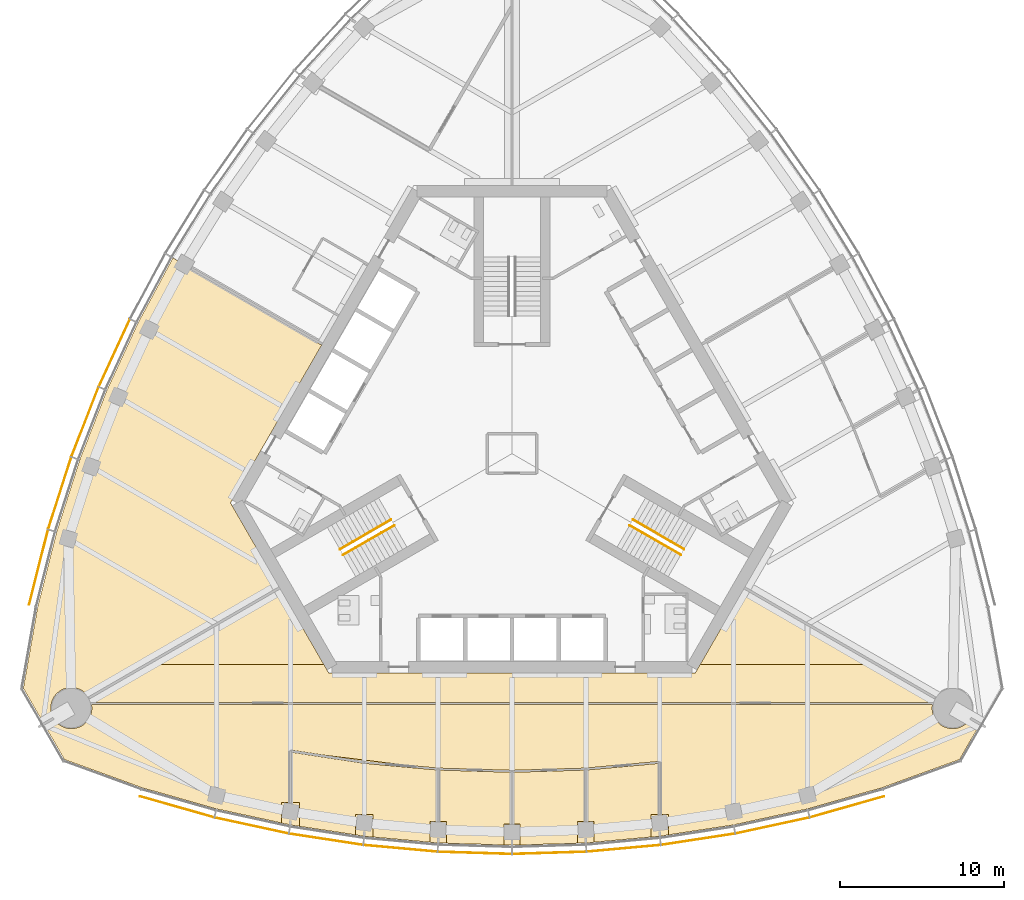
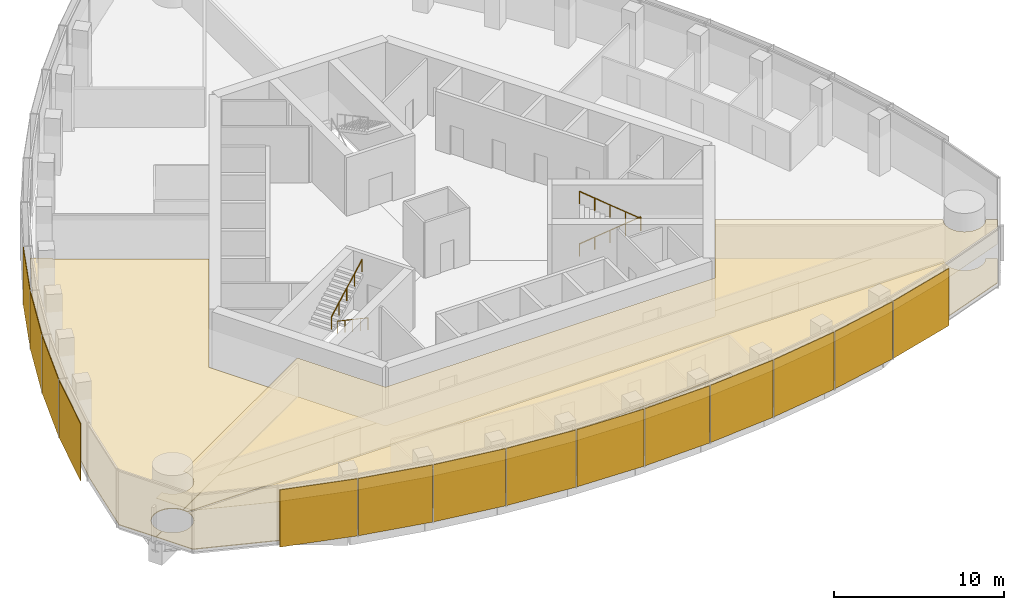
# One storey, part 12 of 16: 14 shading devices, 10 coverings, 4 railings.
"""IFC4 building model written with IfcOpenShell, lengths in metres."""

from ifc_helpers import new_model, si_unit, direction, frame, origin, origin_2d, place, context, subcontext, project, spatial, polyline, rectangle, circle, outline, extrude, material, layer, layer_set, type_object, element, save


model = new_model("IFC4")

# Units and contexts
model_context = context("Model", 3, precision=1e-05, world=origin(), true_north=direction((0.0, 1.0)))
body_context = subcontext(model_context, "Body", "Model", "MODEL_VIEW")
ifc_project = project(units=[si_unit("LENGTHUNIT", "METRE"), si_unit("AREAUNIT", "SQUARE_METRE"), si_unit("VOLUMEUNIT", "CUBIC_METRE"), si_unit("PLANEANGLEUNIT", "RADIAN"), si_unit("MASSUNIT", "GRAM", prefix="KILO")], contexts=[model_context])

# Site, building, storey
site_placement = place(None, origin())
site = spatial("IfcSite", under=ifc_project, at=site_placement, CompositionType="ELEMENT")
building_placement = place(site_placement, origin())
building = spatial("IfcBuilding", under=site, at=building_placement, Name="Trefoil Bronze Tower", CompositionType="ELEMENT")
storey_placement = place(building_placement, frame((0.0, 0.0, 293.10009765625)))
storey = spatial("IfcBuildingStorey", under=building, at=storey_placement, Name="L67", CompositionType="ELEMENT", Elevation=293.10009765625)

# Shading devices
ifc_material_1 = material(Name="Perforated bronze sheet", Category="bronze")
ifc_layer_1 = layer(ifc_material_1, 0.0400390625)
ifc_layer_set_1 = layer_set([ifc_layer_1], Name="Bronze solar screen panel")
shading_device_type = type_object("IfcShadingDeviceType", Name="Bronze solar screen panel", PredefinedType="SHUTTER", material=ifc_layer_set_1)
shading_device_1_placement = place(storey_placement, frame((-20.42138671875, -21.515625, 0.0498046875), z_axis=(0.0, 0.0, 1.0), x_axis=(0.962097746943, -0.272704831875, 0.0)))
element("IfcShadingDevice", 1, at=shading_device_1_placement, inside=storey, type_object=shading_device_type, Name="Solar screen CW-A L67 F1 bay 1", PredefinedType="SHUTTER", context=body_context, shape_type="SweptSolid", body=[
    extrude(rectangle(XDim=4.697509765625, YDim=0.0400390625, at=origin_2d()), origin(), (0.0, 0.0, 1.0), 4.10009765625),
])
shading_device_2_placement = place(storey_placement, frame((-15.864501953125, -22.65625, 0.0498046875), z_axis=(0.0, 0.0, 1.0), x_axis=(0.977303138829, -0.211845639168, 0.0)))
element("IfcShadingDevice", 2, at=shading_device_2_placement, inside=storey, type_object=shading_device_type, Name="Solar screen CW-A L67 F1 bay 2", PredefinedType="SHUTTER", context=body_context, shape_type="SweptSolid", body=[
    extrude(rectangle(XDim=4.574462890625, YDim=0.0400390625, at=origin_2d()), origin(), (0.0, 0.0, 1.0), 4.10009765625),
])
shading_device_3_placement = place(storey_placement, frame((-11.331787109375, -23.494384765625, 0.0498046875), z_axis=(0.0, 0.0, 1.0), x_axis=(0.988485337216, -0.151316681529, 0.0)))
element("IfcShadingDevice", 3, at=shading_device_3_placement, inside=storey, type_object=shading_device_type, Name="Solar screen CW-A L67 F1 bay 3", PredefinedType="SHUTTER", context=body_context, shape_type="SweptSolid", body=[
    extrude(rectangle(XDim=4.5224609375, YDim=0.0400390625, at=origin_2d()), origin(), (0.0, 0.0, 1.0), 4.10009765625),
])
shading_device_4_placement = place(storey_placement, frame((-6.799072265625, -24.048095703125, 0.0498046875), z_axis=(0.0, 0.0, 1.0), x_axis=(0.99587011625, -0.090789380212, 0.0)))
element("IfcShadingDevice", 4, at=shading_device_4_placement, inside=storey, type_object=shading_device_type, Name="Solar screen CW-A L67 F1 bay 4", PredefinedType="SHUTTER", context=body_context, shape_type="SweptSolid", body=[
    extrude(rectangle(XDim=4.48876953125, YDim=0.0400390625, at=origin_2d()), origin(), (0.0, 0.0, 1.0), 4.10009765625),
])
for number, where, z_axis, x_axis, name in (
    (5, (-2.266357421875, -24.3232421875, 0.0498046875), (0.0, 0.0, 1.0), (0.999541969785, -0.030263024264, 0.0), "Solar screen CW-A L67 F1 bay 5"),
    (6, (2.266357421875, -24.3232421875, 0.0498046875), (0.0, 0.0, 1.0), (0.999541969785, 0.030263024264, 0.0), "Solar screen CW-A L67 F1 bay 6"),
):
    element("IfcShadingDevice", number, at=place(storey_placement, frame(where, z_axis=z_axis, x_axis=x_axis)), inside=storey, type_object=shading_device_type, Name=name, PredefinedType="SHUTTER", context=body_context, shape_type="SweptSolid", body=[
        extrude(rectangle(XDim=4.47216796875, YDim=0.0400390625, at=origin_2d()), origin(), (0.0, 0.0, 1.0), 4.10009765625),
    ])
shading_device_5_placement = place(storey_placement, frame((6.799072265625, -24.048095703125, 0.0498046875), z_axis=(0.0, 0.0, 1.0), x_axis=(0.99587011625, 0.090789380212, 0.0)))
element("IfcShadingDevice", 7, at=shading_device_5_placement, inside=storey, type_object=shading_device_type, Name="Solar screen CW-A L67 F1 bay 7", PredefinedType="SHUTTER", context=body_context, shape_type="SweptSolid", body=[
    extrude(rectangle(XDim=4.48876953125, YDim=0.0400390625, at=origin_2d()), origin(), (0.0, 0.0, 1.0), 4.10009765625),
])
shading_device_6_placement = place(storey_placement, frame((11.331787109375, -23.494384765625, 0.0498046875), z_axis=(0.0, 0.0, 1.0), x_axis=(0.988485337216, 0.151316681529, 0.0)))
element("IfcShadingDevice", 8, at=shading_device_6_placement, inside=storey, type_object=shading_device_type, Name="Solar screen CW-A L67 F1 bay 8", PredefinedType="SHUTTER", context=body_context, shape_type="SweptSolid", body=[
    extrude(rectangle(XDim=4.5224609375, YDim=0.0400390625, at=origin_2d()), origin(), (0.0, 0.0, 1.0), 4.10009765625),
])
shading_device_7_placement = place(storey_placement, frame((15.864501953125, -22.65625, 0.0498046875), z_axis=(0.0, 0.0, 1.0), x_axis=(0.977303138829, 0.211845639168, 0.0)))
element("IfcShadingDevice", 9, at=shading_device_7_placement, inside=storey, type_object=shading_device_type, Name="Solar screen CW-A L67 F1 bay 9", PredefinedType="SHUTTER", context=body_context, shape_type="SweptSolid", body=[
    extrude(rectangle(XDim=4.574462890625, YDim=0.0400390625, at=origin_2d()), origin(), (0.0, 0.0, 1.0), 4.10009765625),
])
shading_device_8_placement = place(storey_placement, frame((20.42138671875, -21.515625, 0.0498046875), z_axis=(0.0, 0.0, 1.0), x_axis=(0.962097746943, 0.272704831875, 0.0)))
element("IfcShadingDevice", 10, at=shading_device_8_placement, inside=storey, type_object=shading_device_type, Name="Solar screen CW-A L67 F1 bay 10", PredefinedType="SHUTTER", context=body_context, shape_type="SweptSolid", body=[
    extrude(rectangle(XDim=4.697509765625, YDim=0.0400390625, at=origin_2d()), origin(), (0.0, 0.0, 1.0), 4.10009765625),
])
shading_device_9_placement = place(storey_placement, frame((-24.2255859375, 6.135986328125, 0.0498046875), z_axis=(0.0, 0.0, 1.0), x_axis=(-0.419309148468, -0.907843509649, 0.0)))
element("IfcShadingDevice", 11, at=shading_device_9_placement, inside=storey, type_object=shading_device_type, Name="Solar screen CW-A L67 F3 bay 7", PredefinedType="SHUTTER", context=body_context, shape_type="SweptSolid", body=[
    extrude(rectangle(XDim=4.48876953125, YDim=0.0400390625, at=origin_2d()), origin(), (0.0, 0.0, 1.0), 4.10009765625),
])
shading_device_10_placement = place(storey_placement, frame((-26.0126953125, 1.93359375, 0.0498046875), z_axis=(0.0, 0.0, 1.0), x_axis=(-0.363198578387, -0.931711754062, 0.0)))
element("IfcShadingDevice", 12, at=shading_device_10_placement, inside=storey, type_object=shading_device_type, Name="Solar screen CW-A L67 F3 bay 8", PredefinedType="SHUTTER", context=body_context, shape_type="SweptSolid", body=[
    extrude(rectangle(XDim=4.5224609375, YDim=0.0400390625, at=origin_2d()), origin(), (0.0, 0.0, 1.0), 4.10009765625),
])
shading_device_11_placement = place(storey_placement, frame((-27.55322265625, -2.410888671875, 0.0498046875), z_axis=(0.0, 0.0, 1.0), x_axis=(-0.305187864214, -0.952292165009, 0.0)))
element("IfcShadingDevice", 13, at=shading_device_11_placement, inside=storey, type_object=shading_device_type, Name="Solar screen CW-A L67 F3 bay 9", PredefinedType="SHUTTER", context=body_context, shape_type="SweptSolid", body=[
    extrude(rectangle(XDim=4.574462890625, YDim=0.0400390625, at=origin_2d()), origin(), (0.0, 0.0, 1.0), 4.10009765625),
])
shading_device_12_placement = place(storey_placement, frame((-28.843994140625, -6.927490234375, 0.0498046875), z_axis=(0.0, 0.0, 1.0), x_axis=(-0.244879561333, -0.969553505713, 0.0)))
element("IfcShadingDevice", 14, at=shading_device_12_placement, inside=storey, type_object=shading_device_type, Name="Solar screen CW-A L67 F3 bay 10", PredefinedType="SHUTTER", context=body_context, shape_type="SweptSolid", body=[
    extrude(rectangle(XDim=4.697509765625, YDim=0.0400390625, at=origin_2d()), origin(), (0.0, 0.0, 1.0), 4.10009765625),
])

# Railings
ifc_material_2 = material(Name="Steel handrail", Category="steel")
railing_type = type_object("IfcRailingType", Name="Handrail 900", PredefinedType="HANDRAIL", material=ifc_material_2)
railing_1_placement = place(storey_placement, frame((7.365966796875, -4.021728515625, 0.161376953125)))
element("IfcRailing", 15, at=railing_1_placement, inside=storey, type_object=railing_type, Name="Handrail ST1 flight 1 L67", PredefinedType="HANDRAIL", context=body_context, shape_type="SweptSolid", body=[
    extrude(circle(Radius=0.02392578125, at=origin_2d()), frame((0.0, 0.0, 0.8759765625), z_axis=(0.76250339821, -0.440245697338, 0.474101564745), x_axis=(0.500012057535, 0.866018442252, 0.0)), (0.0, 0.0, 1.0), 4.088623046875),
    extrude(circle(Radius=0.02099609375, at=origin_2d()), origin(), (0.0, 0.0, 1.0), 0.851806640625),
    extrude(circle(Radius=0.02099609375, at=origin_2d()), frame((0.779296875, -0.449951171875, 0.484619140625)), (0.0, 0.0, 1.0), 0.851806640625),
    extrude(circle(Radius=0.02099609375, at=origin_2d()), frame((1.558837890625, -0.89990234375, 0.96923828125)), (0.0, 0.0, 1.0), 0.851806640625),
    extrude(circle(Radius=0.02099609375, at=origin_2d()), frame((2.33837890625, -1.35009765625, 1.453857421875)), (0.0, 0.0, 1.0), 0.851806640625),
    extrude(circle(Radius=0.02099609375, at=origin_2d()), frame((3.11767578125, -1.800048828125, 1.9384765625)), (0.0, 0.0, 1.0), 0.851806640625),
])
railing_2_placement = place(storey_placement, frame((10.28369140625, -6.168212890625, 2.261474609375)))
element("IfcRailing", 16, at=railing_2_placement, inside=storey, type_object=railing_type, Name="Handrail ST1 flight 2 L67", PredefinedType="HANDRAIL", context=body_context, shape_type="SweptSolid", body=[
    extrude(circle(Radius=0.02392578125, at=origin_2d()), frame((0.0, 0.0, 0.8759765625), z_axis=(-0.76250339821, 0.440245697338, 0.474101564745), x_axis=(-0.500012057535, -0.866018442252, 0.0)), (0.0, 0.0, 1.0), 4.088623046875),
    extrude(circle(Radius=0.02099609375, at=origin_2d()), origin(), (0.0, 0.0, 1.0), 0.851806640625),
    extrude(circle(Radius=0.02099609375, at=origin_2d()), frame((-0.779296875, 0.449951171875, 0.484619140625)), (0.0, 0.0, 1.0), 0.851806640625),
    extrude(circle(Radius=0.02099609375, at=origin_2d()), frame((-1.558837890625, 0.89990234375, 0.96923828125)), (0.0, 0.0, 1.0), 0.851806640625),
    extrude(circle(Radius=0.02099609375, at=origin_2d()), frame((-2.33837890625, 1.35009765625, 1.453857421875)), (0.0, 0.0, 1.0), 0.851806640625),
    extrude(circle(Radius=0.02099609375, at=origin_2d()), frame((-3.11767578125, 1.800048828125, 1.9384765625)), (0.0, 0.0, 1.0), 0.851806640625),
])
railing_3_placement = place(storey_placement, frame((-7.166015625, -4.3681640625, 0.161376953125)))
element("IfcRailing", 17, at=railing_3_placement, inside=storey, type_object=railing_type, Name="Handrail ST3 flight 1 L67", PredefinedType="HANDRAIL", context=body_context, shape_type="SweptSolid", body=[
    extrude(circle(Radius=0.02392578125, at=origin_2d()), frame((0.0, 0.0, 0.8759765625), z_axis=(-0.76250339821, -0.440245697338, 0.474101564745), x_axis=(0.500012057535, -0.866018442252, 0.0)), (0.0, 0.0, 1.0), 4.088623046875),
    extrude(circle(Radius=0.02099609375, at=origin_2d()), origin(), (0.0, 0.0, 1.0), 0.851806640625),
    extrude(circle(Radius=0.02099609375, at=origin_2d()), frame((-0.779296875, -0.449951171875, 0.484619140625)), (0.0, 0.0, 1.0), 0.851806640625),
    extrude(circle(Radius=0.02099609375, at=origin_2d()), frame((-1.558837890625, -0.89990234375, 0.96923828125)), (0.0, 0.0, 1.0), 0.851806640625),
    extrude(circle(Radius=0.02099609375, at=origin_2d()), frame((-2.33837890625, -1.35009765625, 1.453857421875)), (0.0, 0.0, 1.0), 0.851806640625),
    extrude(circle(Radius=0.02099609375, at=origin_2d()), frame((-3.11767578125, -1.800048828125, 1.9384765625)), (0.0, 0.0, 1.0), 0.851806640625),
])
railing_4_placement = place(storey_placement, frame((-10.483642578125, -5.82177734375, 2.261474609375)))
element("IfcRailing", 18, at=railing_4_placement, inside=storey, type_object=railing_type, Name="Handrail ST3 flight 2 L67", PredefinedType="HANDRAIL", context=body_context, shape_type="SweptSolid", body=[
    extrude(circle(Radius=0.02392578125, at=origin_2d()), frame((0.0, 0.0, 0.8759765625), z_axis=(0.76250339821, 0.440245697338, 0.474101564745), x_axis=(-0.500012057535, 0.866018442252, 0.0)), (0.0, 0.0, 1.0), 4.088623046875),
    extrude(circle(Radius=0.02099609375, at=origin_2d()), origin(), (0.0, 0.0, 1.0), 0.851806640625),
    extrude(circle(Radius=0.02099609375, at=origin_2d()), frame((0.779296875, 0.449951171875, 0.484619140625)), (0.0, 0.0, 1.0), 0.851806640625),
    extrude(circle(Radius=0.02099609375, at=origin_2d()), frame((1.558837890625, 0.89990234375, 0.96923828125)), (0.0, 0.0, 1.0), 0.851806640625),
    extrude(circle(Radius=0.02099609375, at=origin_2d()), frame((2.33837890625, 1.35009765625, 1.453857421875)), (0.0, 0.0, 1.0), 0.851806640625),
    extrude(circle(Radius=0.02099609375, at=origin_2d()), frame((3.11767578125, 1.800048828125, 1.9384765625)), (0.0, 0.0, 1.0), 0.851806640625),
])

# Coverings
ifc_material_3 = material(Name="Acoustic ceiling panels", Category="mineral fibre")
ifc_layer_2 = layer(ifc_material_3, 0.02001953125)
ifc_layer_set_2 = layer_set([ifc_layer_2], Name="Office ceiling 20")
covering_type_1 = type_object("IfcCoveringType", Name="Office ceiling 20", PredefinedType="CEILING", material=ifc_layer_set_2)
covering_1_placement = place(storey_placement, frame((0.0, 0.0, 2.89990234375)))
element("IfcCovering", 19, at=covering_1_placement, inside=storey, type_object=covering_type_1, Name="Ceiling L67 Open-plan office F1", PredefinedType="CEILING", context=body_context, shape_type="SweptSolid", body=[
    extrude(outline(polyline([(-27.885986328125, -16.194580078125), (-27.850830078125, -16.24462890625), (-27.81298828125, -16.29296875), (-27.77294921875, -16.33935546875), (-27.730712890625, -16.3837890625), (-27.686279296875, -16.42626953125), (-27.639892578125, -16.46630859375), (-27.59130859375, -16.50390625), (-27.541259765625, -16.539306640625), (-27.489501953125, -16.572265625), (-27.43603515625, -16.602294921875), (-27.381103515625, -16.6298828125), (-27.3251953125, -16.65478515625), (-27.267822265625, -16.677001953125), (-27.209716796875, -16.6962890625), (-27.150390625, -16.71240234375), (-27.0908203125, -16.72607421875), (-27.0302734375, -16.736572265625), (-26.96923828125, -16.743896484375), (-26.908203125, -16.74853515625), (-26.8466796875, -16.75), (-26.785400390625, -16.74853515625), (-26.724365234375, -16.743896484375), (-26.663330078125, -16.736572265625), (-26.602783203125, -16.72607421875), (-26.543212890625, -16.71240234375), (-26.48388671875, -16.6962890625), (-26.42578125, -16.677001953125), (-26.368408203125, -16.65478515625), (-26.312255859375, -16.6298828125), (-26.257568359375, -16.602294921875), (-26.2041015625, -16.572265625), (-26.15234375, -16.539306640625), (-26.102294921875, -16.50390625), (-26.0537109375, -16.46630859375), (-26.00732421875, -16.42626953125), (-25.962890625, -16.3837890625), (-25.920654296875, -16.33935546875), (-25.880615234375, -16.29296875), (-25.8427734375, -16.24462890625), (-25.8076171875, -16.194580078125), (-25.774658203125, -16.142578125), (-25.744384765625, -16.089111328125), (-25.716796875, -16.034423828125), (-25.69189453125, -15.978515625), (-25.669921875, -15.921142578125), (-25.650634765625, -15.86279296875), (-25.63427734375, -15.8037109375), (-25.620849609375, -15.743896484375), (-25.6103515625, -15.683349609375), (-25.602783203125, -15.62255859375), (-25.598388671875, -15.561279296875), (-25.5966796875, -15.5), (-25.598388671875, -15.438720703125), (-25.602783203125, -15.37744140625), (-25.6103515625, -15.316650390625), (-25.620849609375, -15.256103515625), (-25.63427734375, -15.1962890625), (-25.650634765625, -15.13720703125), (-25.669921875, -15.078857421875), (-25.69189453125, -15.021484375), (-25.716796875, -14.965576171875), (-25.759033203125, -14.885009765625), (-14.156494140625, -8.180419921875), (-11.171630859375, -13.35009765625), (11.171630859375, -13.35009765625), (14.156494140625, -8.180419921875), (25.759033203125, -14.885009765625), (25.716796875, -14.965576171875), (25.69189453125, -15.021484375), (25.669921875, -15.078857421875), (25.650634765625, -15.13720703125), (25.63427734375, -15.1962890625), (25.620849609375, -15.256103515625), (25.6103515625, -15.316650390625), (25.602783203125, -15.37744140625), (25.598388671875, -15.438720703125), (25.5966796875, -15.5), (25.598388671875, -15.561279296875), (25.602783203125, -15.62255859375), (25.6103515625, -15.683349609375), (25.620849609375, -15.743896484375), (25.63427734375, -15.8037109375), (25.650634765625, -15.86279296875), (25.669921875, -15.921142578125), (25.69189453125, -15.978515625), (25.716796875, -16.034423828125), (25.744384765625, -16.089111328125), (25.774658203125, -16.142578125), (25.8076171875, -16.194580078125), (25.8427734375, -16.24462890625), (25.880615234375, -16.29296875), (25.920654296875, -16.33935546875), (25.962890625, -16.3837890625), (26.00732421875, -16.42626953125), (26.0537109375, -16.46630859375), (26.102294921875, -16.50390625), (26.15234375, -16.539306640625), (26.2041015625, -16.572265625), (26.257568359375, -16.602294921875), (26.312255859375, -16.6298828125), (26.368408203125, -16.65478515625), (26.42578125, -16.677001953125), (26.48388671875, -16.6962890625), (26.543212890625, -16.71240234375), (26.602783203125, -16.72607421875), (26.663330078125, -16.736572265625), (26.724365234375, -16.743896484375), (26.785400390625, -16.74853515625), (26.8466796875, -16.75), (26.908203125, -16.74853515625), (26.96923828125, -16.743896484375), (27.0302734375, -16.736572265625), (27.0908203125, -16.72607421875), (27.150390625, -16.71240234375), (27.209716796875, -16.6962890625), (27.267822265625, -16.677001953125), (27.3251953125, -16.65478515625), (27.381103515625, -16.6298828125), (27.43603515625, -16.602294921875), (27.489501953125, -16.572265625), (27.541259765625, -16.539306640625), (27.59130859375, -16.50390625), (27.639892578125, -16.46630859375), (27.686279296875, -16.42626953125), (27.730712890625, -16.3837890625), (27.77294921875, -16.33935546875), (27.81298828125, -16.29296875), (27.850830078125, -16.24462890625), (27.885986328125, -16.194580078125), (27.923095703125, -16.135498046875), (28.510009765625, -16.474609375), (27.26220703125, -18.635986328125), (22.54833984375, -20.3515625), (18.0, -21.640869140625), (13.5, -22.6162109375), (9.0, -23.30517578125), (4.5, -23.71533203125), (0.0, -23.8515625), (-4.5, -23.71533203125), (-9.0, -23.30517578125), (-13.5, -22.6162109375), (-18.0, -21.640869140625), (-22.54833984375, -20.3515625), (-27.26220703125, -18.635986328125), (-28.510009765625, -16.474609375), (-27.923095703125, -16.135498046875), (-27.885986328125, -16.194580078125)])), origin(), (0.0, 0.0, 1.0), 0.02001953125),
])
ifc_material_4 = material(Name="Raised access floor panels", Category="steel")
ifc_layer_3 = layer(ifc_material_4, 0.050048828125)
ifc_layer_set_3 = layer_set([ifc_layer_3], Name="Raised access floor 150")
covering_type_2 = type_object("IfcCoveringType", Name="Raised access floor 150", PredefinedType="FLOORING", material=ifc_layer_set_3)
covering_2_placement = place(storey_placement, frame((0.0, 0.0, 0.099853515625)))
element("IfcCovering", 20, at=covering_2_placement, inside=storey, type_object=covering_type_2, Name="Raised floor L67 Kitchen and breakout F1", PredefinedType="FLOORING", context=body_context, shape_type="SweptSolid", body=[
    extrude(outline(polyline([(-8.469970703125, -23.353515625), (-8.469970703125, -21.968994140625), (-9.530029296875, -21.968994140625), (-9.530029296875, -23.22412109375), (-12.9453125, -22.701171875), (-12.9453125, -21.248291015625), (-13.43994140625, -21.248291015625), (-13.43994140625, -18.18603515625), (-9.009033203125, -18.864501953125), (-9.0, -18.80517578125), (-9.00537109375, -18.864990234375), (-4.56005859375, -19.27001953125), (-4.56005859375, -22.407958984375), (-4.5, -22.407958984375), (-4.5, -22.409912109375), (-5.00390625, -22.409912109375), (-5.00390625, -23.66943359375), (-8.469970703125, -23.353515625)])), origin(), (0.0, 0.0, 1.0), 0.050048828125),
])
covering_3_placement = place(storey_placement, frame((0.0, 0.0, 0.099853515625)))
element("IfcCovering", 21, at=covering_3_placement, inside=storey, type_object=covering_type_2, Name="Raised floor L67 Office F1", PredefinedType="FLOORING", context=body_context, shape_type="SweptSolid", body=[
    extrude(outline(polyline([(-4.5, -22.407958984375), (-4.43994140625, -22.407958984375), (-4.43994140625, -19.277099609375), (-0.06005859375, -19.409912109375), (-0.06005859375, -22.546630859375), (0.0, -22.546630859375), (0.0, -22.57568359375), (-0.47607421875, -22.57568359375), (-0.47607421875, -23.837158203125), (-3.99609375, -23.730712890625), (-3.99609375, -22.409912109375), (-4.5, -22.409912109375), (-4.5, -22.407958984375)])), origin(), (0.0, 0.0, 1.0), 0.050048828125),
])
covering_4_placement = place(storey_placement, frame((0.0, 0.0, 0.099853515625)))
element("IfcCovering", 22, at=covering_4_placement, inside=storey, type_object=covering_type_2, Name="Raised floor L67 Office F1", PredefinedType="FLOORING", context=body_context, shape_type="SweptSolid", body=[
    extrude(outline(polyline([(0.0, -22.546630859375), (0.06005859375, -22.546630859375), (0.06005859375, -19.409912109375), (4.43994140625, -19.277099609375), (4.43994140625, -22.407958984375), (4.5, -22.407958984375), (4.5, -22.409912109375), (3.99609375, -22.409912109375), (3.99609375, -23.730712890625), (0.47607421875, -23.837158203125), (0.47607421875, -22.57568359375), (0.0, -22.57568359375), (0.0, -22.546630859375)])), origin(), (0.0, 0.0, 1.0), 0.050048828125),
])
covering_5_placement = place(storey_placement, frame((0.0, 0.0, 0.099853515625)))
element("IfcCovering", 23, at=covering_5_placement, inside=storey, type_object=covering_type_2, Name="Raised floor L67 Meeting room F1", PredefinedType="FLOORING", context=body_context, shape_type="SweptSolid", body=[
    extrude(outline(polyline([(4.5, -22.407958984375), (4.56005859375, -22.407958984375), (4.56005859375, -19.27001953125), (8.93994140625, -18.870849609375), (8.93994140625, -21.968994140625), (8.469970703125, -21.968994140625), (8.469970703125, -23.353515625), (5.00390625, -23.66943359375), (5.00390625, -22.409912109375), (4.5, -22.409912109375), (4.5, -22.407958984375)])), origin(), (0.0, 0.0, 1.0), 0.050048828125),
])
covering_6_placement = place(storey_placement, frame((0.0, 0.0, 0.099853515625)))
element("IfcCovering", 24, at=covering_6_placement, inside=storey, type_object=covering_type_2, Name="Raised floor L67 Corridor F1", PredefinedType="FLOORING", context=body_context, shape_type="SweptSolid", body=[
    extrude(outline(polyline([(-25.759033203125, -14.885009765625), (-22.237548828125, -12.85009765625), (-11.46044921875, -12.85009765625), (-11.171630859375, -13.35009765625), (11.171630859375, -13.35009765625), (11.46044921875, -12.85009765625), (22.237548828125, -12.85009765625), (25.759033203125, -14.885009765625), (25.716796875, -14.965576171875), (25.69189453125, -15.021484375), (25.669921875, -15.078857421875), (25.647216796875, -15.14990234375), (-25.647216796875, -15.14990234375), (-25.669921875, -15.078857421875), (-25.69189453125, -15.021484375), (-25.716796875, -14.965576171875), (-25.759033203125, -14.885009765625)])), origin(), (0.0, 0.0, 1.0), 0.050048828125),
])
covering_7_placement = place(storey_placement, frame((0.0, 0.0, 0.099853515625)))
element("IfcCovering", 25, at=covering_7_placement, inside=storey, type_object=covering_type_2, Name="Raised floor L67 Open-plan office F1", PredefinedType="FLOORING", context=body_context, shape_type="SweptSolid", body=[
    extrude(outline(polyline([(-25.618408203125, -15.27001953125), (25.618408203125, -15.27001953125), (25.6103515625, -15.316650390625), (25.602783203125, -15.37744140625), (25.598388671875, -15.438720703125), (25.5966796875, -15.5), (25.598388671875, -15.561279296875), (25.602783203125, -15.62255859375), (25.6103515625, -15.683349609375), (25.620849609375, -15.743896484375), (25.63427734375, -15.8037109375), (25.650634765625, -15.86279296875), (25.669921875, -15.921142578125), (25.69189453125, -15.978515625), (25.716796875, -16.034423828125), (25.744384765625, -16.089111328125), (25.774658203125, -16.142578125), (25.8076171875, -16.194580078125), (25.8427734375, -16.24462890625), (25.880615234375, -16.29296875), (25.920654296875, -16.33935546875), (25.962890625, -16.3837890625), (26.00732421875, -16.42626953125), (26.0537109375, -16.46630859375), (26.102294921875, -16.50390625), (26.15234375, -16.539306640625), (26.2041015625, -16.572265625), (26.257568359375, -16.602294921875), (26.312255859375, -16.6298828125), (26.368408203125, -16.65478515625), (26.42578125, -16.677001953125), (26.48388671875, -16.6962890625), (26.543212890625, -16.71240234375), (26.602783203125, -16.72607421875), (26.663330078125, -16.736572265625), (26.724365234375, -16.743896484375), (26.785400390625, -16.74853515625), (26.8466796875, -16.75), (26.908203125, -16.74853515625), (26.96923828125, -16.743896484375), (27.0302734375, -16.736572265625), (27.0908203125, -16.72607421875), (27.150390625, -16.71240234375), (27.209716796875, -16.6962890625), (27.267822265625, -16.677001953125), (27.3251953125, -16.65478515625), (27.381103515625, -16.6298828125), (27.43603515625, -16.602294921875), (27.489501953125, -16.572265625), (27.541259765625, -16.539306640625), (27.59130859375, -16.50390625), (27.639892578125, -16.46630859375), (27.686279296875, -16.42626953125), (27.730712890625, -16.3837890625), (27.77294921875, -16.33935546875), (27.81298828125, -16.29296875), (27.850830078125, -16.24462890625), (27.885986328125, -16.194580078125), (27.923095703125, -16.135498046875), (28.510009765625, -16.474609375), (27.26220703125, -18.635986328125), (22.54833984375, -20.3515625), (18.0, -21.640869140625), (13.5, -22.6162109375), (9.530029296875, -23.22412109375), (9.530029296875, -21.968994140625), (9.06005859375, -21.968994140625), (9.06005859375, -18.80517578125), (9.0, -18.80517578125), (8.99462890625, -18.745361328125), (4.496337890625, -19.155517578125), (0.0, -19.29150390625), (-4.496337890625, -19.155517578125), (-6.4462890625, -18.977783203125), (-11.539306640625, -18.355712890625), (-13.490966796875, -18.056884765625), (-13.5, -18.1162109375), (-13.56005859375, -18.1162109375), (-13.56005859375, -21.248291015625), (-14.0546875, -21.248291015625), (-14.0546875, -22.49609375), (-18.0, -21.640869140625), (-22.54833984375, -20.3515625), (-27.26220703125, -18.635986328125), (-28.510009765625, -16.474609375), (-27.923095703125, -16.135498046875), (-27.885986328125, -16.194580078125), (-27.850830078125, -16.24462890625), (-27.81298828125, -16.29296875), (-27.77294921875, -16.33935546875), (-27.730712890625, -16.3837890625), (-27.686279296875, -16.42626953125), (-27.639892578125, -16.46630859375), (-27.59130859375, -16.50390625), (-27.541259765625, -16.539306640625), (-27.489501953125, -16.572265625), (-27.43603515625, -16.602294921875), (-27.381103515625, -16.6298828125), (-27.3251953125, -16.65478515625), (-27.267822265625, -16.677001953125), (-27.209716796875, -16.6962890625), (-27.150390625, -16.71240234375), (-27.0908203125, -16.72607421875), (-27.0302734375, -16.736572265625), (-26.96923828125, -16.743896484375), (-26.908203125, -16.74853515625), (-26.8466796875, -16.75), (-26.785400390625, -16.74853515625), (-26.724365234375, -16.743896484375), (-26.663330078125, -16.736572265625), (-26.602783203125, -16.72607421875), (-26.543212890625, -16.71240234375), (-26.48388671875, -16.6962890625), (-26.42578125, -16.677001953125), (-26.368408203125, -16.65478515625), (-26.312255859375, -16.6298828125), (-26.257568359375, -16.602294921875), (-26.2041015625, -16.572265625), (-26.15234375, -16.539306640625), (-26.102294921875, -16.50390625), (-26.0537109375, -16.46630859375), (-26.00732421875, -16.42626953125), (-25.962890625, -16.3837890625), (-25.920654296875, -16.33935546875), (-25.880615234375, -16.29296875), (-25.8427734375, -16.24462890625), (-25.8076171875, -16.194580078125), (-25.774658203125, -16.142578125), (-25.744384765625, -16.089111328125), (-25.716796875, -16.034423828125), (-25.69189453125, -15.978515625), (-25.669921875, -15.921142578125), (-25.650634765625, -15.86279296875), (-25.63427734375, -15.8037109375), (-25.620849609375, -15.743896484375), (-25.6103515625, -15.683349609375), (-25.602783203125, -15.62255859375), (-25.598388671875, -15.561279296875), (-25.5966796875, -15.5), (-25.598388671875, -15.438720703125), (-25.602783203125, -15.37744140625), (-25.6103515625, -15.316650390625), (-25.618408203125, -15.27001953125)])), origin(), (0.0, 0.0, 1.0), 0.050048828125),
])
covering_8_placement = place(storey_placement, frame((0.0, 0.0, 0.099853515625)))
element("IfcCovering", 26, at=covering_8_placement, inside=storey, type_object=covering_type_2, Name="Raised floor L67 Open-plan office F1", PredefinedType="FLOORING", context=body_context, shape_type="SweptSolid", body=[
    extrude(outline(polyline([(14.156494140625, -8.180419921875), (22.237548828125, -12.85009765625), (11.46044921875, -12.85009765625), (14.156494140625, -8.180419921875)])), origin(), (0.0, 0.0, 1.0), 0.050048828125),
])
covering_9_placement = place(storey_placement, frame((0.0, 0.0, 0.099853515625)))
element("IfcCovering", 27, at=covering_9_placement, inside=storey, type_object=covering_type_2, Name="Raised floor L67 Open-plan office F1", PredefinedType="FLOORING", context=body_context, shape_type="SweptSolid", body=[
    extrude(outline(polyline([(-22.237548828125, -12.85009765625), (-14.156494140625, -8.180419921875), (-11.46044921875, -12.85009765625), (-22.237548828125, -12.85009765625)])), origin(), (0.0, 0.0, 1.0), 0.050048828125),
])
covering_10_placement = place(storey_placement, frame((0.0, 0.0, 0.099853515625)))
element("IfcCovering", 28, at=covering_10_placement, inside=storey, type_object=covering_type_2, Name="Raised floor L67 Open-plan office F3", PredefinedType="FLOORING", context=body_context, shape_type="SweptSolid", body=[
    extrude(outline(polyline([(-27.741455078125, -4.76806640625), (-26.336181640625, -0.38330078125), (-24.682861328125, 3.8583984375), (-22.7880859375, 7.960693359375), (-20.656494140625, 11.9248046875), (-19.5263671875, 11.2724609375), (-19.5634765625, 11.208251953125), (-11.607666015625, 6.614990234375), (-11.570556640625, 6.67919921875), (-11.56201171875, 6.674072265625), (-17.147216796875, -3.0), (-14.16259765625, -8.169677734375), (-25.77001953125, -14.865478515625), (-25.8076171875, -14.805419921875), (-25.8427734375, -14.75537109375), (-25.880615234375, -14.70703125), (-25.920654296875, -14.66064453125), (-25.962890625, -14.6162109375), (-26.00732421875, -14.57373046875), (-26.0537109375, -14.53369140625), (-26.102294921875, -14.49609375), (-26.15234375, -14.460693359375), (-26.2041015625, -14.427734375), (-26.257568359375, -14.397705078125), (-26.312255859375, -14.3701171875), (-26.368408203125, -14.34521484375), (-26.42578125, -14.322998046875), (-26.48388671875, -14.3037109375), (-26.543212890625, -14.28759765625), (-26.602783203125, -14.27392578125), (-26.663330078125, -14.263427734375), (-26.724365234375, -14.256103515625), (-26.785400390625, -14.25146484375), (-26.8466796875, -14.25), (-26.908203125, -14.25146484375), (-26.96923828125, -14.256103515625), (-27.0302734375, -14.263427734375), (-27.0908203125, -14.27392578125), (-27.150390625, -14.28759765625), (-27.209716796875, -14.3037109375), (-27.267822265625, -14.322998046875), (-27.3251953125, -14.34521484375), (-27.381103515625, -14.3701171875), (-27.43603515625, -14.397705078125), (-27.489501953125, -14.427734375), (-27.541259765625, -14.460693359375), (-27.59130859375, -14.49609375), (-27.639892578125, -14.53369140625), (-27.686279296875, -14.57373046875), (-27.730712890625, -14.6162109375), (-27.77294921875, -14.66064453125), (-27.81298828125, -14.70703125), (-27.850830078125, -14.75537109375), (-27.885986328125, -14.805419921875), (-27.9189453125, -14.857421875), (-27.94921875, -14.910888671875), (-27.976806640625, -14.965576171875), (-28.001708984375, -15.021484375), (-28.023681640625, -15.078857421875), (-28.04296875, -15.13720703125), (-28.059326171875, -15.1962890625), (-28.07275390625, -15.256103515625), (-28.083251953125, -15.316650390625), (-28.0908203125, -15.37744140625), (-28.09521484375, -15.438720703125), (-28.0966796875, -15.5), (-28.09521484375, -15.561279296875), (-28.0908203125, -15.62255859375), (-28.083251953125, -15.683349609375), (-28.07275390625, -15.743896484375), (-28.059326171875, -15.8037109375), (-28.04296875, -15.86279296875), (-28.023681640625, -15.921142578125), (-28.001708984375, -15.978515625), (-27.976806640625, -16.034423828125), (-27.93505859375, -16.1142578125), (-28.522216796875, -16.453125), (-29.770263671875, -14.291748046875), (-28.899169921875, -9.3515625), (-27.741455078125, -4.76806640625)])), origin(), (0.0, 0.0, 1.0), 0.050048828125),
])

save(model, "model.ifc")
